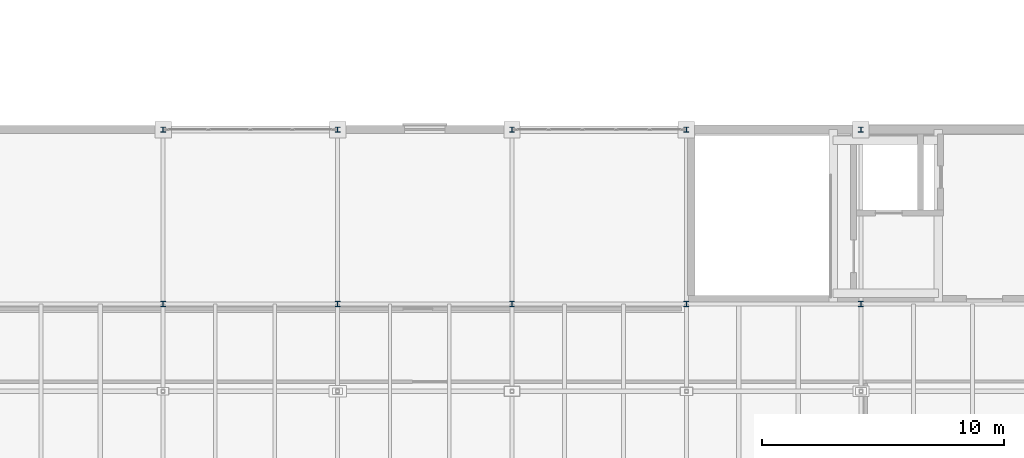
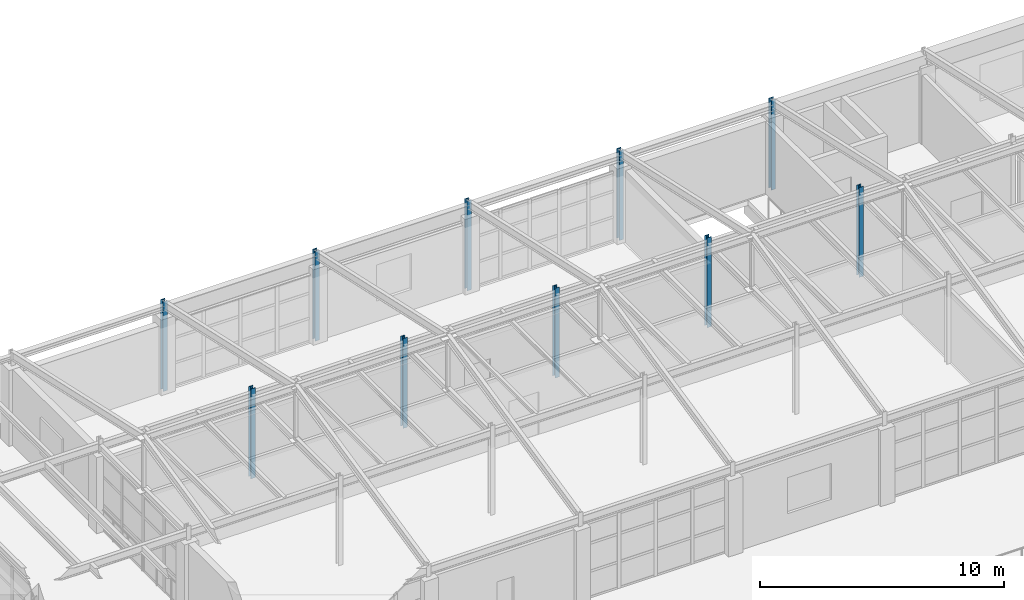
# One storey, part 7 of 101: 10 columns.
"""IFC4 building model written with IfcOpenShell, lengths in metres."""

from ifc_helpers import new_model, si_unit, direction, frame, origin, origin_2d, place, context, subcontext, project, spatial, i_section, extrude, material, material_profile, profile_set, type_object, element, save


model = new_model("IFC4")

# Units and contexts
model_context = context("Model", 3, precision=1e-05, world=origin(), true_north=direction((0.0, 1.0)))
body_context = subcontext(model_context, "Body", "Model", "MODEL_VIEW")
ifc_project = project(units=[si_unit("LENGTHUNIT", "METRE"), si_unit("AREAUNIT", "SQUARE_METRE"), si_unit("VOLUMEUNIT", "CUBIC_METRE"), si_unit("PLANEANGLEUNIT", "RADIAN"), si_unit("MASSUNIT", "GRAM", prefix="KILO")], contexts=[model_context])

# Site, building, storey
site_placement = place(None, origin())
site = spatial("IfcSite", under=ifc_project, at=site_placement, CompositionType="ELEMENT")
building_placement = place(site_placement, origin())
building = spatial("IfcBuilding", under=site, at=building_placement, Name="Kemerveld Promenade Tramway Depot", CompositionType="ELEMENT")
storey_placement = place(building_placement, frame((0.0, 0.0, 9.89990234375)))
storey = spatial("IfcBuildingStorey", under=building, at=storey_placement, Name="L02", CompositionType="ELEMENT", Elevation=9.89990234375)

# Columns
ifc_material = material(Name="Steel S355", Category="steel")
ifc_material_profile = material_profile(ifc_material, i_section(OverallWidth=0.205810546875, OverallDepth=0.209716796875, WebThickness=0.009521484375, FlangeThickness=0.01416015625, FilletRadius=0.01025390625, at=origin_2d()), Name="203x203x60 UC")
ifc_profile_set = profile_set([ifc_material_profile], Name="Steel S355")
column_type = type_object("IfcColumnType", Name="COL-S10", PredefinedType="COLUMN", material=ifc_profile_set)
for number, where, z_axis, x_axis, name in (
    (1, (64.800048828125, 21.60009765625, 0.0), (0.0, 0.0, 1.0), (1.0, 0.0, 0.0), "COL-L02-10-D"),
    (2, (64.800048828125, 28.800048828125, 0.0), (0.0, 0.0, 1.0), (1.0, 0.0, 0.0), "COL-L02-10-E"),
    (3, (72.0, 21.60009765625, 0.0), (0.0, 0.0, 1.0), (1.0, 0.0, 0.0), "COL-L02-11-D"),
    (4, (72.0, 28.800048828125, 0.0), (0.0, 0.0, 1.0), (1.0, 0.0, 0.0), "COL-L02-11-E"),
    (5, (79.199951171875, 21.60009765625, 0.0), (0.0, 0.0, 1.0), (1.0, 0.0, 0.0), "COL-L02-12-D"),
    (6, (79.199951171875, 28.800048828125, 0.0), (0.0, 0.0, 1.0), (1.0, 0.0, 0.0), "COL-L02-12-E"),
    (7, (86.39990234375, 21.60009765625, 0.0), (0.0, 0.0, 1.0), (1.0, 0.0, 0.0), "COL-L02-13-D"),
    (8, (86.39990234375, 28.800048828125, 0.0), (0.0, 0.0, 1.0), (1.0, 0.0, 0.0), "COL-L02-13-E"),
    (9, (93.60009765625, 21.60009765625, 0.0), (0.0, 0.0, 1.0), (1.0, 0.0, 0.0), "COL-L02-14-D"),
    (10, (93.60009765625, 28.800048828125, 0.0), (0.0, 0.0, 1.0), (1.0, 0.0, 0.0), "COL-L02-14-E"),
):
    element("IfcColumn", number, at=place(storey_placement, frame(where, z_axis=z_axis, x_axis=x_axis)), inside=storey, type_object=column_type, Name=name, PredefinedType="COLUMN", context=body_context, shape_type="SweptSolid", body=[
        extrude(i_section(OverallWidth=0.205810546875, OverallDepth=0.209716796875, WebThickness=0.009521484375, FlangeThickness=0.01416015625, FilletRadius=0.01025390625, at=origin_2d()), origin(), (0.0, 0.0, 1.0), 4.5),
    ])

save(model, "model.ifc")
